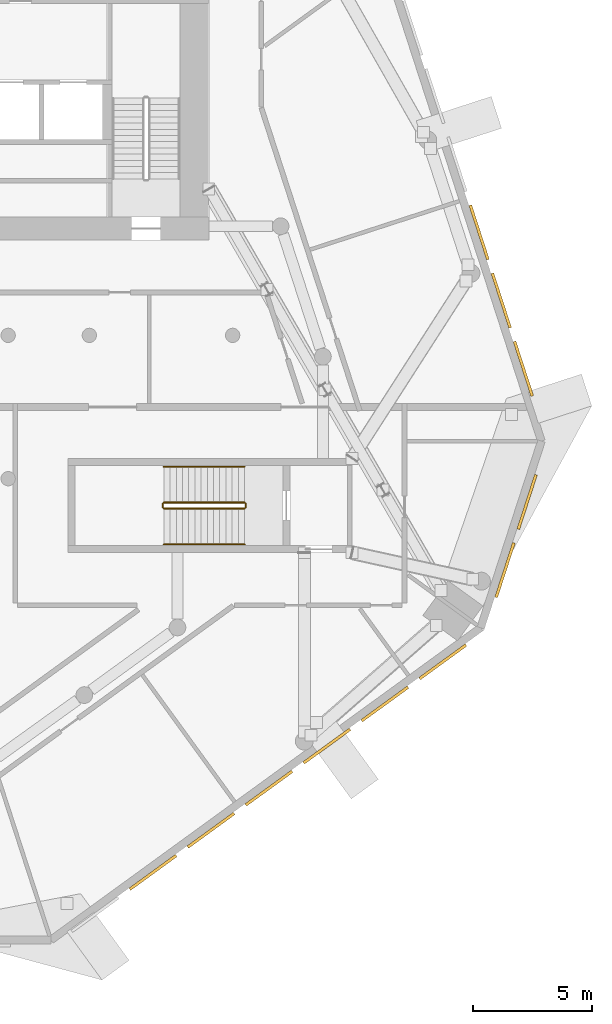
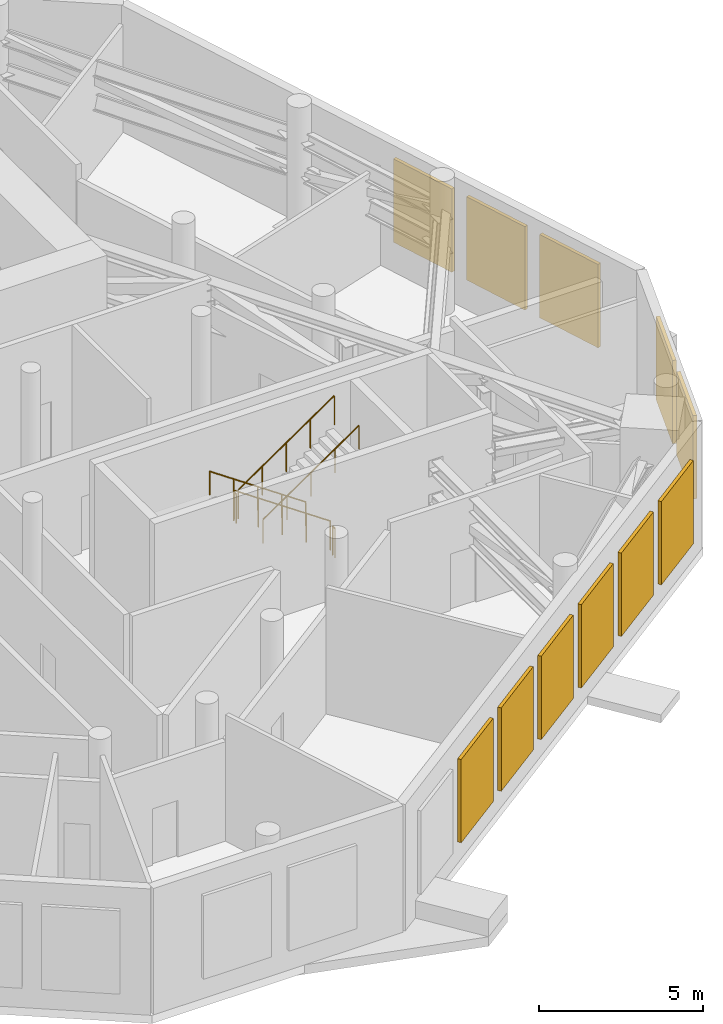
# One storey, part 15 of 17: 11 shading devices, 6 railings.
"""IFC4 building model written with IfcOpenShell, lengths in metres."""

from ifc_helpers import new_model, si_unit, direction, frame, origin, origin_2d, place, context, subcontext, project, spatial, rectangle, circle, extrude, material, type_object, element, save


model = new_model("IFC4")

# Units and contexts
model_context = context("Model", 3, precision=1e-05, world=origin(), true_north=direction((0.0, 1.0)))
body_context = subcontext(model_context, "Body", "Model", "MODEL_VIEW")
ifc_project = project(units=[si_unit("LENGTHUNIT", "METRE"), si_unit("AREAUNIT", "SQUARE_METRE"), si_unit("VOLUMEUNIT", "CUBIC_METRE"), si_unit("PLANEANGLEUNIT", "RADIAN"), si_unit("MASSUNIT", "GRAM", prefix="KILO")], contexts=[model_context])

# Site, building, storey
site_placement = place(None, origin())
site = spatial("IfcSite", under=ifc_project, at=site_placement, CompositionType="ELEMENT")
building_placement = place(site_placement, origin())
building = spatial("IfcBuilding", under=site, at=building_placement, Name="White Candle Pilgrim Tower", CompositionType="ELEMENT")
storey_placement = place(building_placement, frame((0.0, 0.0, 191.5)))
storey = spatial("IfcBuildingStorey", under=building, at=storey_placement, Name="L44", CompositionType="ELEMENT", Elevation=191.5)

# Shading devices
ifc_material_1 = material(Name="Aluminium", Category="aluminium")
shading_device_type = type_object("IfcShadingDeviceType", Name="Plant louvre LV2 2400x3100 aluminium framed", PredefinedType="USERDEFINED", material=ifc_material_1)
for number, where, z_axis, x_axis, name in (
    (1, (78.6650390625, 44.51416015625, 0.800048828125), (0.0, 0.0, 1.0), (0.809016998509, 0.587785246602, 0.0), "Plant louvre L44 SE 2"),
    (2, (81.092041015625, 46.277587890625, 0.800048828125), (0.0, 0.0, 1.0), (0.809016998509, 0.587785246602, 0.0), "Plant louvre L44 SE 3"),
    (3, (83.51904296875, 48.041015625, 0.800048828125), (0.0, 0.0, 1.0), (0.809016998509, 0.587785246602, 0.0), "Plant louvre L44 SE 4"),
    (4, (85.9462890625, 49.80419921875, 0.800048828125), (0.0, 0.0, 1.0), (0.809016998509, 0.587785246602, 0.0), "Plant louvre L44 SE 5"),
    (5, (88.373291015625, 51.567626953125, 0.800048828125), (0.0, 0.0, 1.0), (0.809016998509, 0.587785246602, 0.0), "Plant louvre L44 SE 6"),
    (6, (90.80029296875, 53.3310546875, 0.800048828125), (0.0, 0.0, 1.0), (0.809016998509, 0.587785246602, 0.0), "Plant louvre L44 SE 7"),
    (7, (93.404296875, 57.171142578125, 0.800048828125), (0.0, 0.0, 1.0), (0.309017028469, 0.951056505217, 0.0), "Plant louvre L44 E chamfer 1"),
    (8, (94.331298828125, 60.0244140625, 0.800048828125), (0.0, 0.0, 1.0), (0.309017028469, 0.951056505217, 0.0), "Plant louvre L44 E chamfer 2"),
    (9, (94.175048828125, 65.605712890625, 0.800048828125), (0.0, 0.0, 1.0), (-0.309017016385, 0.951056509144, 0.0), "Plant louvre L44 ENE 1"),
    (10, (93.248046875, 68.458984375, 0.800048828125), (0.0, 0.0, 1.0), (-0.309017016385, 0.951056509144, 0.0), "Plant louvre L44 ENE 2"),
    (11, (92.321044921875, 71.312255859375, 0.800048828125), (0.0, 0.0, 1.0), (-0.309017016385, 0.951056509144, 0.0), "Plant louvre L44 ENE 3"),
):
    element("IfcShadingDevice", number, at=place(storey_placement, frame(where, z_axis=z_axis, x_axis=x_axis)), inside=storey, type_object=shading_device_type, Name=name, ObjectType="LOUVRE", PredefinedType="USERDEFINED", context=body_context, shape_type="SweptSolid", body=[
        extrude(rectangle(XDim=2.39990234375, YDim=0.1201171875, at=origin_2d()), origin(), (0.0, 0.0, 1.0), 3.10009765625),
    ])

# Railings
ifc_material_2 = material(Name="Stainless steel", Category="steel")
railing_type_1 = type_object("IfcRailingType", Name="Stair guard stainless steel 1100 mm", PredefinedType="GUARDRAIL", material=ifc_material_2)
railing_1_placement = place(storey_placement, frame((82.5, 60.0, 0.178466796875)))
element("IfcRailing", 12, at=railing_1_placement, inside=storey, type_object=railing_type_1, Name="L44 ST4 stair guard 1", PredefinedType="GUARDRAIL", context=body_context, shape_type="SweptSolid", body=[
    extrude(circle(Radius=0.02392578125, at=origin_2d()), frame((0.0, 0.0, 1.076171875), z_axis=(-0.824285065979, 0.0, 0.566174999451), x_axis=(0.0, -1.0, 0.0)), (0.0, 0.0, 1.0), 4.100341796875),
    extrude(circle(Radius=0.02099609375, at=origin_2d()), origin(), (0.0, 0.0, 1.0), 1.052001953125),
    extrude(circle(Radius=0.02099609375, at=origin_2d()), frame((-0.844970703125, 0.0, 0.580322265625)), (0.0, 0.0, 1.0), 1.052001953125),
    extrude(circle(Radius=0.02099609375, at=origin_2d()), frame((-1.68994140625, 0.0, 1.16064453125)), (0.0, 0.0, 1.0), 1.052001953125),
    extrude(circle(Radius=0.02099609375, at=origin_2d()), frame((-2.534912109375, 0.0, 1.7412109375)), (0.0, 0.0, 1.0), 1.052001953125),
    extrude(circle(Radius=0.02099609375, at=origin_2d()), frame((-3.3798828125, 0.0, 2.321533203125)), (0.0, 0.0, 1.0), 1.052001953125),
])
railing_2_placement = place(storey_placement, frame((79.070068359375, 59.949951171875, 2.5)))
element("IfcRailing", 13, at=railing_2_placement, inside=storey, type_object=railing_type_1, Name="L44 ST4 stair guard 2", PredefinedType="GUARDRAIL", context=body_context, shape_type="SweptSolid", body=[
    extrude(circle(Radius=0.02392578125, at=origin_2d()), frame((0.0, 0.0, 1.076171875), z_axis=(0.0, -1.0, 0.0), x_axis=(1.0, 0.0, 0.0)), (0.0, 0.0, 1.0), 0.14990234375),
    extrude(circle(Radius=0.02099609375, at=origin_2d()), origin(), (0.0, 0.0, 1.0), 1.052001953125),
    extrude(circle(Radius=0.02099609375, at=origin_2d()), frame((0.0, -0.14990234375, 0.0)), (0.0, 0.0, 1.0), 1.052001953125),
])
railing_3_placement = place(storey_placement, frame((79.1201171875, 59.75, 2.678466796875)))
element("IfcRailing", 14, at=railing_3_placement, inside=storey, type_object=railing_type_1, Name="L44 ST4 stair guard 3", PredefinedType="GUARDRAIL", context=body_context, shape_type="SweptSolid", body=[
    extrude(circle(Radius=0.02392578125, at=origin_2d()), frame((0.0, 0.0, 1.076171875), z_axis=(0.824285065979, 0.0, 0.566174999451), x_axis=(0.0, 1.0, 0.0)), (0.0, 0.0, 1.0), 4.100341796875),
    extrude(circle(Radius=0.02099609375, at=origin_2d()), origin(), (0.0, 0.0, 1.0), 1.052001953125),
    extrude(circle(Radius=0.02099609375, at=origin_2d()), frame((0.844970703125, 0.0, 0.580322265625)), (0.0, 0.0, 1.0), 1.052001953125),
    extrude(circle(Radius=0.02099609375, at=origin_2d()), frame((1.68994140625, 0.0, 1.16064453125)), (0.0, 0.0, 1.0), 1.052001953125),
    extrude(circle(Radius=0.02099609375, at=origin_2d()), frame((2.534912109375, 0.0, 1.7412109375)), (0.0, 0.0, 1.0), 1.052001953125),
    extrude(circle(Radius=0.02099609375, at=origin_2d()), frame((3.3798828125, 0.0, 2.321533203125)), (0.0, 0.0, 1.0), 1.052001953125),
])
railing_4_placement = place(storey_placement, frame((82.550048828125, 59.949951171875, 0.0)))
element("IfcRailing", 15, at=railing_4_placement, inside=storey, type_object=railing_type_1, Name="L44 ST4 stair guard 4", PredefinedType="GUARDRAIL", context=body_context, shape_type="SweptSolid", body=[
    extrude(circle(Radius=0.02392578125, at=origin_2d()), frame((0.0, 0.0, 1.076171875), z_axis=(0.0, -1.0, 0.0), x_axis=(1.0, 0.0, 0.0)), (0.0, 0.0, 1.0), 0.14990234375),
    extrude(circle(Radius=0.02099609375, at=origin_2d()), origin(), (0.0, 0.0, 1.0), 1.052001953125),
    extrude(circle(Radius=0.02099609375, at=origin_2d()), frame((0.0, -0.14990234375, 0.0)), (0.0, 0.0, 1.0), 1.052001953125),
])
railing_type_2 = type_object("IfcRailingType", Name="Stair handrail stainless steel", PredefinedType="HANDRAIL", material=ifc_material_2)
railing_5_placement = place(storey_placement, frame((82.5, 61.5, 0.178466796875)))
element("IfcRailing", 16, at=railing_5_placement, inside=storey, type_object=railing_type_2, Name="L44 ST4 stair handrail 1", PredefinedType="HANDRAIL", context=body_context, shape_type="SweptSolid", body=[
    extrude(circle(Radius=0.02392578125, at=origin_2d()), frame((0.0, 0.0, 0.8759765625), z_axis=(-0.824285065979, 0.0, 0.566174999451), x_axis=(0.0, -1.0, 0.0)), (0.0, 0.0, 1.0), 4.100341796875),
    extrude(circle(Radius=0.02099609375, at=origin_2d()), origin(), (0.0, 0.0, 1.0), 0.851806640625),
    extrude(circle(Radius=0.02099609375, at=origin_2d()), frame((-0.844970703125, 0.0, 0.580322265625)), (0.0, 0.0, 1.0), 0.851806640625),
    extrude(circle(Radius=0.02099609375, at=origin_2d()), frame((-1.68994140625, 0.0, 1.16064453125)), (0.0, 0.0, 1.0), 0.851806640625),
    extrude(circle(Radius=0.02099609375, at=origin_2d()), frame((-2.534912109375, 0.0, 1.7412109375)), (0.0, 0.0, 1.0), 0.851806640625),
    extrude(circle(Radius=0.02099609375, at=origin_2d()), frame((-3.3798828125, 0.0, 2.321533203125)), (0.0, 0.0, 1.0), 0.851806640625),
])
railing_6_placement = place(storey_placement, frame((79.1201171875, 58.25, 2.678466796875)))
element("IfcRailing", 17, at=railing_6_placement, inside=storey, type_object=railing_type_2, Name="L44 ST4 stair handrail 2", PredefinedType="HANDRAIL", context=body_context, shape_type="SweptSolid", body=[
    extrude(circle(Radius=0.02392578125, at=origin_2d()), frame((0.0, 0.0, 0.8759765625), z_axis=(0.824285065979, 0.0, 0.566174999451), x_axis=(0.0, 1.0, 0.0)), (0.0, 0.0, 1.0), 4.100341796875),
    extrude(circle(Radius=0.02099609375, at=origin_2d()), origin(), (0.0, 0.0, 1.0), 0.851806640625),
    extrude(circle(Radius=0.02099609375, at=origin_2d()), frame((0.844970703125, 0.0, 0.580322265625)), (0.0, 0.0, 1.0), 0.851806640625),
    extrude(circle(Radius=0.02099609375, at=origin_2d()), frame((1.68994140625, 0.0, 1.16064453125)), (0.0, 0.0, 1.0), 0.851806640625),
    extrude(circle(Radius=0.02099609375, at=origin_2d()), frame((2.534912109375, 0.0, 1.7412109375)), (0.0, 0.0, 1.0), 0.851806640625),
    extrude(circle(Radius=0.02099609375, at=origin_2d()), frame((3.3798828125, 0.0, 2.321533203125)), (0.0, 0.0, 1.0), 0.851806640625),
])

save(model, "model.ifc")
